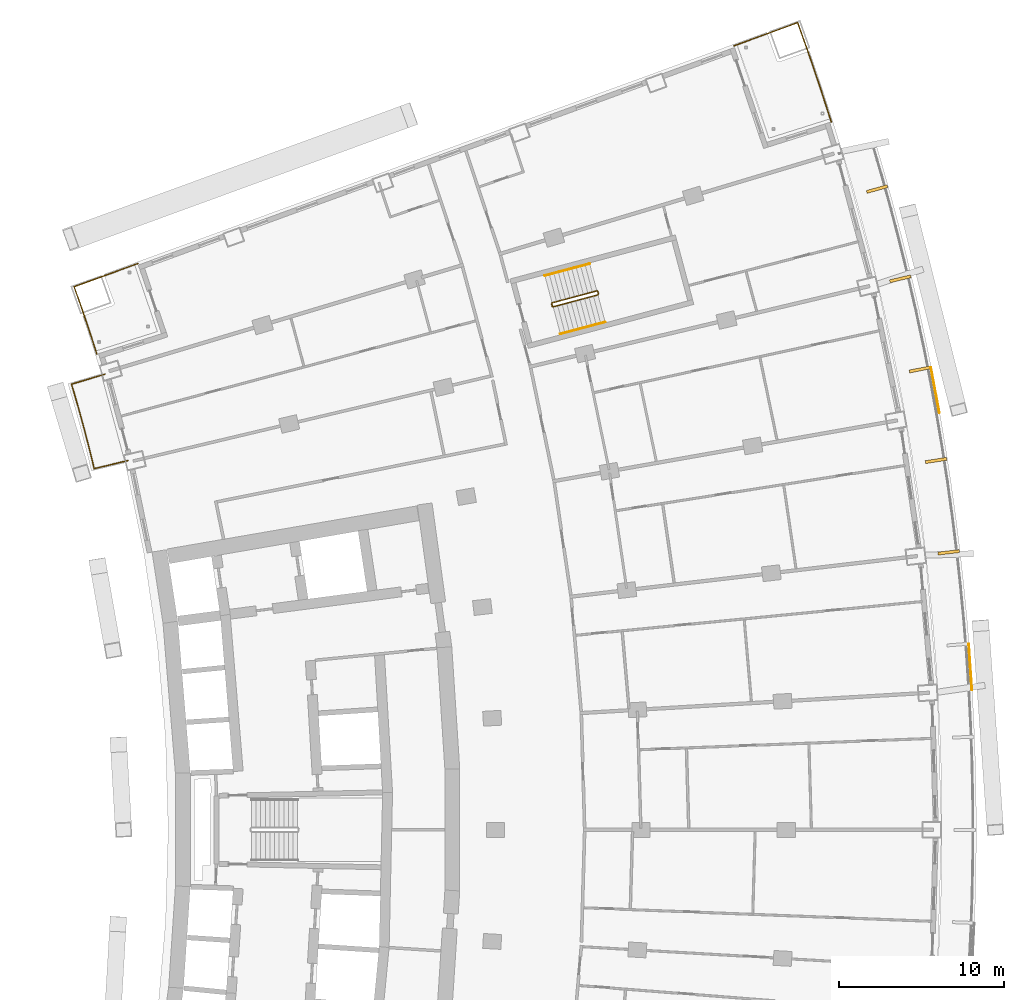
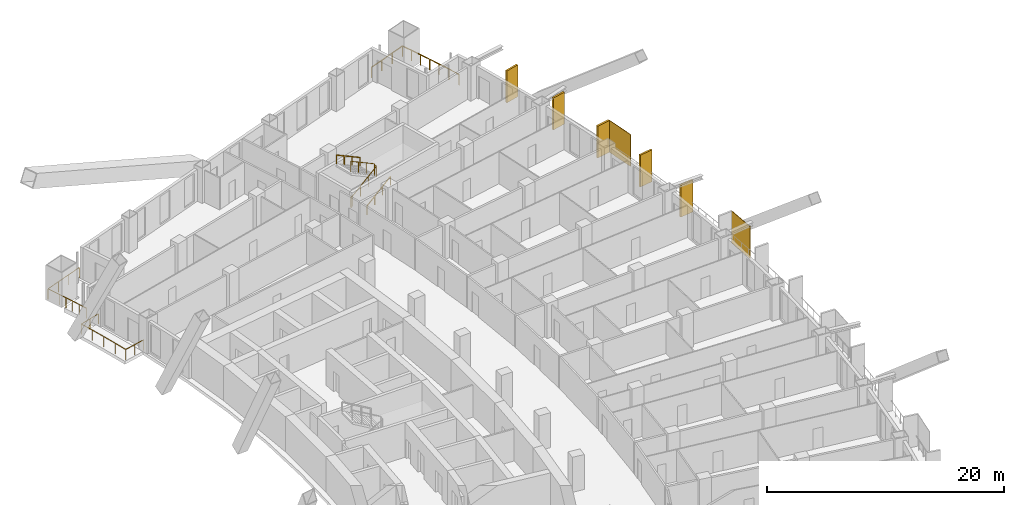
# One storey, part 25 of 25: 7 shading devices, 6 railings.
"""IFC4 building model written with IfcOpenShell, lengths in metres."""

from ifc_helpers import new_model, si_unit, direction, frame, origin, origin_2d, place, context, subcontext, project, spatial, rectangle, extrude, material, layer, layer_set, type_object, element, save


model = new_model("IFC4")

# Units and contexts
model_context = context("Model", 3, precision=1e-05, world=origin(), true_north=direction((0.0, 1.0)))
body_context = subcontext(model_context, "Body", "Model", "MODEL_VIEW")
ifc_project = project(units=[si_unit("LENGTHUNIT", "METRE"), si_unit("AREAUNIT", "SQUARE_METRE"), si_unit("VOLUMEUNIT", "CUBIC_METRE"), si_unit("PLANEANGLEUNIT", "RADIAN"), si_unit("MASSUNIT", "GRAM", prefix="KILO")], contexts=[model_context])

# Site, building, storey
site_placement = place(None, origin())
site = spatial("IfcSite", under=ifc_project, at=site_placement, CompositionType="ELEMENT")
building_placement = place(site_placement, origin())
building = spatial("IfcBuilding", under=site, at=building_placement, Name="Alderwake Tower", CompositionType="ELEMENT")
storey_placement = place(building_placement, frame((0.0, 0.0, 64.39990234375)))
storey = spatial("IfcBuildingStorey", under=building, at=storey_placement, Name="L15", CompositionType="ELEMENT", Elevation=64.39990234375)

# Railings
ifc_material_1 = material(Name="Stainless steel 316 rail and posts", Category="steel")
railing_type_1 = type_object("IfcRailingType", Name="Balcony guard 1100", PredefinedType="GUARDRAIL", material=ifc_material_1)
railing_1_placement = place(storey_placement, frame((13.5693359375, 83.343017578125, 0.0)))
element("IfcRailing", 1, at=railing_1_placement, inside=storey, type_object=railing_type_1, Name="Guard BR11", PredefinedType="GUARDRAIL", context=body_context, shape_type="SweptSolid", body=[
    extrude(rectangle(XDim=0.048095703125, YDim=0.048095703125, at=origin_2d()), frame((0.0, 0.0, 1.076171875), z_axis=(-0.972646310656, -0.232291098337, 0.0), x_axis=(0.232291098337, -0.972646310656, 0.0)), (0.0, 0.0, 1.0), 2.099853515625),
    extrude(rectangle(XDim=0.048095703125, YDim=0.048095703125, at=origin_2d()), frame((-2.04248046875, -0.48779296875, 1.076171875), z_axis=(-0.238877101641, 0.971049808358, 0.0), x_axis=(-0.971049808358, -0.238877101641, 0.0)), (0.0, 0.0, 1.0), 1.2724609375),
    extrude(rectangle(XDim=0.048095703125, YDim=0.048095703125, at=origin_2d()), frame((-2.346435546875, 0.747802734375, 1.076171875), z_axis=(-0.252487086228, 0.967600264204, 0.0), x_axis=(-0.967600264204, -0.252487086228, 0.0)), (0.0, 0.0, 1.0), 1.3720703125),
    extrude(rectangle(XDim=0.048095703125, YDim=0.048095703125, at=origin_2d()), frame((-2.69287109375, 2.075439453125, 1.076171875), z_axis=(-0.266487604617, 0.963838345671, 0.0), x_axis=(-0.963838345671, -0.266487604617, 0.0)), (0.0, 0.0, 1.0), 1.372314453125),
    extrude(rectangle(XDim=0.048095703125, YDim=0.048095703125, at=origin_2d()), frame((-3.05859375, 3.398193359375, 1.076171875), z_axis=(-0.279963157487, 0.960010744966, 0.0), x_axis=(-0.960010744966, -0.279963157487, 0.0)), (0.0, 0.0, 1.0), 1.272216796875),
    extrude(rectangle(XDim=0.048095703125, YDim=0.048095703125, at=origin_2d()), frame((-3.414794921875, 4.61962890625, 1.076171875), z_axis=(0.958091458885, 0.286462486918, 0.0), x_axis=(-0.286462486918, 0.958091458885, 0.0)), (0.0, 0.0, 1.0), 2.099853515625),
    extrude(rectangle(XDim=0.0419921875, YDim=0.0419921875, at=origin_2d()), frame((0.0, 0.0, 0.0), z_axis=(0.0, 0.0, 1.0), x_axis=(-0.972646310656, -0.232291098337, 0.0)), (0.0, 0.0, 1.0), 1.052001953125),
    extrude(rectangle(XDim=0.0419921875, YDim=0.0419921875, at=origin_2d()), frame((-1.021240234375, -0.243896484375, 0.0), z_axis=(0.0, 0.0, 1.0), x_axis=(-0.972646310656, -0.232291098337, 0.0)), (0.0, 0.0, 1.0), 1.052001953125),
    extrude(rectangle(XDim=0.0419921875, YDim=0.0419921875, at=origin_2d()), frame((-2.04248046875, -0.48779296875, 0.0), z_axis=(0.0, 0.0, 1.0), x_axis=(-0.238877101641, 0.971049808358, 0.0)), (0.0, 0.0, 1.0), 1.052001953125),
    extrude(rectangle(XDim=0.0419921875, YDim=0.0419921875, at=origin_2d()), frame((-2.346435546875, 0.747802734375, 0.0), z_axis=(0.0, 0.0, 1.0), x_axis=(-0.252487086228, 0.967600264204, 0.0)), (0.0, 0.0, 1.0), 1.052001953125),
    extrude(rectangle(XDim=0.0419921875, YDim=0.0419921875, at=origin_2d()), frame((-2.69287109375, 2.075439453125, 0.0), z_axis=(0.0, 0.0, 1.0), x_axis=(-0.266487604617, 0.963838345671, 0.0)), (0.0, 0.0, 1.0), 1.052001953125),
    extrude(rectangle(XDim=0.0419921875, YDim=0.0419921875, at=origin_2d()), frame((-3.05859375, 3.398193359375, 0.0), z_axis=(0.0, 0.0, 1.0), x_axis=(-0.279963157487, 0.960010744966, 0.0)), (0.0, 0.0, 1.0), 1.052001953125),
    extrude(rectangle(XDim=0.0419921875, YDim=0.0419921875, at=origin_2d()), frame((-3.414794921875, 4.61962890625, 0.0), z_axis=(0.0, 0.0, 1.0), x_axis=(0.958091458885, 0.286462486918, 0.0)), (0.0, 0.0, 1.0), 1.052001953125),
    extrude(rectangle(XDim=0.0419921875, YDim=0.0419921875, at=origin_2d()), frame((-2.40869140625, 4.92041015625, 0.0), z_axis=(0.0, 0.0, 1.0), x_axis=(0.958091458885, 0.286462486918, 0.0)), (0.0, 0.0, 1.0), 1.052001953125),
    extrude(rectangle(XDim=0.0419921875, YDim=0.0419921875, at=origin_2d()), frame((-1.40283203125, 5.22119140625, 0.0), z_axis=(0.0, 0.0, 1.0), x_axis=(0.958091458885, 0.286462486918, 0.0)), (0.0, 0.0, 1.0), 1.052001953125),
])
railing_2_placement = place(storey_placement, frame((56.12060546875, 103.831298828125, 0.0)))
element("IfcRailing", 2, at=railing_2_placement, inside=storey, type_object=railing_type_1, Name="Guard terrace FN", PredefinedType="GUARDRAIL", context=body_context, shape_type="SweptSolid", body=[
    extrude(rectangle(XDim=0.048095703125, YDim=0.048095703125, at=origin_2d()), frame((0.0, 0.0, 1.076171875), z_axis=(-0.307834534449, 0.951439908455, 0.0), x_axis=(-0.951439908455, -0.307834534449, 0.0)), (0.0, 0.0, 1.0), 2.281005859375),
    extrude(rectangle(XDim=0.048095703125, YDim=0.048095703125, at=origin_2d()), frame((-0.7021484375, 2.170166015625, 1.076171875), z_axis=(-0.322274982341, 0.946646098475, 0.0), x_axis=(-0.946646098475, -0.322274982341, 0.0)), (0.0, 0.0, 1.0), 2.0810546875),
    extrude(rectangle(XDim=0.048095703125, YDim=0.048095703125, at=origin_2d()), frame((-1.372802734375, 4.14013671875, 1.076171875), z_axis=(-0.335680571726, 0.941975877486, 0.0), x_axis=(-0.941975877486, -0.335680571726, 0.0)), (0.0, 0.0, 1.0), 1.981201171875),
    extrude(rectangle(XDim=0.048095703125, YDim=0.048095703125, at=origin_2d()), frame((-2.037841796875, 6.00634765625, 1.076171875), z_axis=(-0.939605522223, -0.34225934992, 0.0), x_axis=(0.34225934992, -0.939605522223, 0.0)), (0.0, 0.0, 1.0), 4.10009765625),
    extrude(rectangle(XDim=0.0419921875, YDim=0.0419921875, at=origin_2d()), frame((0.0, 0.0, 0.0), z_axis=(0.0, 0.0, 1.0), x_axis=(-0.307834534449, 0.951439908455, 0.0)), (0.0, 0.0, 1.0), 1.052001953125),
    extrude(rectangle(XDim=0.0419921875, YDim=0.0419921875, at=origin_2d()), frame((-0.35107421875, 1.0849609375, 0.0), z_axis=(0.0, 0.0, 1.0), x_axis=(-0.307834534449, 0.951439908455, 0.0)), (0.0, 0.0, 1.0), 1.052001953125),
    extrude(rectangle(XDim=0.0419921875, YDim=0.0419921875, at=origin_2d()), frame((-0.7021484375, 2.170166015625, 0.0), z_axis=(0.0, 0.0, 1.0), x_axis=(-0.322274982341, 0.946646098475, 0.0)), (0.0, 0.0, 1.0), 1.052001953125),
    extrude(rectangle(XDim=0.0419921875, YDim=0.0419921875, at=origin_2d()), frame((-1.03759765625, 3.1552734375, 0.0), z_axis=(0.0, 0.0, 1.0), x_axis=(-0.322274982341, 0.946646098475, 0.0)), (0.0, 0.0, 1.0), 1.052001953125),
    extrude(rectangle(XDim=0.0419921875, YDim=0.0419921875, at=origin_2d()), frame((-1.372802734375, 4.14013671875, 0.0), z_axis=(0.0, 0.0, 1.0), x_axis=(-0.335680571726, 0.941975877486, 0.0)), (0.0, 0.0, 1.0), 1.052001953125),
    extrude(rectangle(XDim=0.0419921875, YDim=0.0419921875, at=origin_2d()), frame((-1.705322265625, 5.0732421875, 0.0), z_axis=(0.0, 0.0, 1.0), x_axis=(-0.335680571726, 0.941975877486, 0.0)), (0.0, 0.0, 1.0), 1.052001953125),
    extrude(rectangle(XDim=0.0419921875, YDim=0.0419921875, at=origin_2d()), frame((-2.037841796875, 6.00634765625, 0.0), z_axis=(0.0, 0.0, 1.0), x_axis=(-0.939605522223, -0.34225934992, 0.0)), (0.0, 0.0, 1.0), 1.052001953125),
    extrude(rectangle(XDim=0.0419921875, YDim=0.0419921875, at=origin_2d()), frame((-3.322021484375, 5.53857421875, 0.0), z_axis=(0.0, 0.0, 1.0), x_axis=(-0.939605522223, -0.34225934992, 0.0)), (0.0, 0.0, 1.0), 1.052001953125),
    extrude(rectangle(XDim=0.0419921875, YDim=0.0419921875, at=origin_2d()), frame((-4.606201171875, 5.07080078125, 0.0), z_axis=(0.0, 0.0, 1.0), x_axis=(-0.939605522223, -0.34225934992, 0.0)), (0.0, 0.0, 1.0), 1.052001953125),
    extrude(rectangle(XDim=0.0419921875, YDim=0.0419921875, at=origin_2d()), frame((-5.890380859375, 4.60302734375, 0.0), z_axis=(0.0, 0.0, 1.0), x_axis=(-0.939605522223, -0.34225934992, 0.0)), (0.0, 0.0, 1.0), 1.052001953125),
])
railing_3_placement = place(storey_placement, frame((11.688720703125, 89.781982421875, 0.0)))
element("IfcRailing", 3, at=railing_3_placement, inside=storey, type_object=railing_type_1, Name="Guard terrace RN", PredefinedType="GUARDRAIL", context=body_context, shape_type="SweptSolid", body=[
    extrude(rectangle(XDim=0.048095703125, YDim=0.048095703125, at=origin_2d()), frame((0.0, 0.0, 1.076171875), z_axis=(-0.307479326145, 0.951554761426, 0.0), x_axis=(-0.951554761426, -0.307479326145, 0.0)), (0.0, 0.0, 1.0), 1.6015625),
    extrude(rectangle(XDim=0.048095703125, YDim=0.048095703125, at=origin_2d()), frame((-0.492431640625, 1.52392578125, 1.076171875), z_axis=(-0.322283727344, 0.946643121292, 0.0), x_axis=(-0.946643121292, -0.322283727344, 0.0)), (0.0, 0.0, 1.0), 1.4013671875),
    extrude(rectangle(XDim=0.048095703125, YDim=0.048095703125, at=origin_2d()), frame((-0.944091796875, 2.8505859375, 1.076171875), z_axis=(-0.335468607403, 0.942051385778, 0.0), x_axis=(-0.942051385778, -0.335468607403, 0.0)), (0.0, 0.0, 1.0), 1.30126953125),
    extrude(rectangle(XDim=0.048095703125, YDim=0.048095703125, at=origin_2d()), frame((-1.380615234375, 4.076416015625, 1.076171875), z_axis=(0.939708203232, 0.341977327873, 0.0), x_axis=(-0.341977327873, 0.939708203232, 0.0)), (0.0, 0.0, 1.0), 4.10009765625),
    extrude(rectangle(XDim=0.0419921875, YDim=0.0419921875, at=origin_2d()), frame((0.0, 0.0, 0.0), z_axis=(0.0, 0.0, 1.0), x_axis=(-0.307479326145, 0.951554761426, 0.0)), (0.0, 0.0, 1.0), 1.052001953125),
    extrude(rectangle(XDim=0.0419921875, YDim=0.0419921875, at=origin_2d()), frame((-0.24609375, 0.761962890625, 0.0), z_axis=(0.0, 0.0, 1.0), x_axis=(-0.307479326145, 0.951554761426, 0.0)), (0.0, 0.0, 1.0), 1.052001953125),
    extrude(rectangle(XDim=0.0419921875, YDim=0.0419921875, at=origin_2d()), frame((-0.492431640625, 1.52392578125, 0.0), z_axis=(0.0, 0.0, 1.0), x_axis=(-0.322283727344, 0.946643121292, 0.0)), (0.0, 0.0, 1.0), 1.052001953125),
    extrude(rectangle(XDim=0.0419921875, YDim=0.0419921875, at=origin_2d()), frame((-0.71826171875, 2.187255859375, 0.0), z_axis=(0.0, 0.0, 1.0), x_axis=(-0.322283727344, 0.946643121292, 0.0)), (0.0, 0.0, 1.0), 1.052001953125),
    extrude(rectangle(XDim=0.0419921875, YDim=0.0419921875, at=origin_2d()), frame((-0.944091796875, 2.8505859375, 0.0), z_axis=(0.0, 0.0, 1.0), x_axis=(-0.335468607403, 0.942051385778, 0.0)), (0.0, 0.0, 1.0), 1.052001953125),
    extrude(rectangle(XDim=0.0419921875, YDim=0.0419921875, at=origin_2d()), frame((-1.380615234375, 4.076416015625, 0.0), z_axis=(0.0, 0.0, 1.0), x_axis=(0.939708203232, 0.341977327873, 0.0)), (0.0, 0.0, 1.0), 1.052001953125),
    extrude(rectangle(XDim=0.0419921875, YDim=0.0419921875, at=origin_2d()), frame((-0.096435546875, 4.543701171875, 0.0), z_axis=(0.0, 0.0, 1.0), x_axis=(0.939708203232, 0.341977327873, 0.0)), (0.0, 0.0, 1.0), 1.052001953125),
    extrude(rectangle(XDim=0.0419921875, YDim=0.0419921875, at=origin_2d()), frame((1.18798828125, 5.01123046875, 0.0), z_axis=(0.0, 0.0, 1.0), x_axis=(0.939708203232, 0.341977327873, 0.0)), (0.0, 0.0, 1.0), 1.052001953125),
    extrude(rectangle(XDim=0.0419921875, YDim=0.0419921875, at=origin_2d()), frame((2.47216796875, 5.478515625, 0.0), z_axis=(0.0, 0.0, 1.0), x_axis=(0.939708203232, 0.341977327873, 0.0)), (0.0, 0.0, 1.0), 1.052001953125),
])

# Shading devices
ifc_material_2 = material(Name="Bronze anodised aluminium", Category="aluminium")
ifc_layer_1 = layer(ifc_material_2, 0.179931640625)
ifc_layer_set_1 = layer_set([ifc_layer_1], Name="Facade fin 1300")
shading_device_type_1 = type_object("IfcShadingDeviceType", Name="Facade fin 1300", PredefinedType="USERDEFINED", material=ifc_layer_set_1)
for number, where, z_axis, x_axis, name in (
    (4, (63.21923828125, 77.7900390625, 0.0), (0.0, 0.0, 1.0), (0.993198315083, 0.116434990084, 0.0), "Fin"),
    (5, (62.4580078125, 83.34716796875, 0.0), (0.0, 0.0, 1.0), (0.987918787879, 0.154972476771, 0.0), "Fin"),
    (6, (61.48388671875, 88.856201171875, 0.0), (0.0, 0.0, 1.0), (0.981163751315, 0.193177879441, 0.0), "Fin"),
    (7, (60.29345703125, 94.33740234375, 0.0), (0.0, 0.0, 1.0), (0.972908790564, 0.231189284448, 0.0), "Fin"),
    (8, (58.890869140625, 99.768310546875, 0.0), (0.0, 0.0, 1.0), (0.96318180783, 0.268850897459, 0.0), "Fin"),
):
    element("IfcShadingDevice", number, at=place(storey_placement, frame(where, z_axis=z_axis, x_axis=x_axis)), inside=storey, type_object=shading_device_type_1, Name=name, ObjectType="FIN", PredefinedType="USERDEFINED", context=body_context, shape_type="SweptSolid", body=[
        extrude(rectangle(XDim=1.300048828125, YDim=0.179931640625, at=origin_2d()), origin(), (0.0, 0.0, 1.0), 3.280029296875),
    ])
ifc_material_3 = material(Name="Perforated bronze anodised aluminium", Category="aluminium")
ifc_layer_2 = layer(ifc_material_3, 0.050048828125)
ifc_layer_set_2 = layer_set([ifc_layer_2], Name="Perforated screen panel")
shading_device_type_2 = type_object("IfcShadingDeviceType", Name="Perforated screen panel", PredefinedType="USERDEFINED", material=ifc_layer_set_2)
shading_device_1_placement = place(storey_placement, frame((64.53271484375, 70.8505859375, 0.0), z_axis=(0.0, 0.0, 1.0), x_axis=(0.997685465774, 0.067997877779, 0.0)))
element("IfcShadingDevice", 9, at=shading_device_1_placement, inside=storey, type_object=shading_device_type_2, Name="Screen panel", ObjectType="SCREEN", PredefinedType="USERDEFINED", context=body_context, shape_type="SweptSolid", body=[
    extrude(rectangle(XDim=0.050048828125, YDim=2.824951171875, at=origin_2d()), origin(), (0.0, 0.0, 1.0), 3.280029296875),
])
shading_device_2_placement = place(storey_placement, frame((62.404296875, 87.605224609375, 0.0), z_axis=(0.0, 0.0, 1.0), x_axis=(0.982991488043, 0.183651121519, 0.0)))
element("IfcShadingDevice", 10, at=shading_device_2_placement, inside=storey, type_object=shading_device_type_2, Name="Screen panel", ObjectType="SCREEN", PredefinedType="USERDEFINED", context=body_context, shape_type="SweptSolid", body=[
    extrude(rectangle(XDim=0.050048828125, YDim=2.810546875, at=origin_2d()), origin(), (0.0, 0.0, 1.0), 3.280029296875),
])

# Railings
ifc_material_4 = material(Name="Stainless steel guard", Category="steel")
railing_type_2 = type_object("IfcRailingType", Name="Stair guard 1100", PredefinedType="GUARDRAIL", material=ifc_material_4)
railing_4_placement = place(storey_placement, frame((39.23291015625, 92.6806640625, 0.0)))
element("IfcRailing", 11, at=railing_4_placement, inside=storey, type_object=railing_type_2, Name="L15 ST-A stair guard 1", PredefinedType="GUARDRAIL", context=body_context, shape_type="SweptSolid", body=[
    extrude(rectangle(XDim=0.048095703125, YDim=0.048095703125, at=origin_2d()), frame((0.0, 0.0, 1.076171875), z_axis=(-0.257055032184, 0.966396766566, 0.0), x_axis=(-0.966396766566, -0.257055032184, 0.0)), (0.0, 0.0, 1.0), 0.150146484375),
    extrude(rectangle(XDim=0.048095703125, YDim=0.048095703125, at=origin_2d()), frame((-0.03857421875, 0.14501953125, 1.076171875), z_axis=(0.379152066478, -0.68506938173, 0.622031874345), x_axis=(0.874937996095, 0.484234966715, 0.0)), (0.0, 0.0, 1.0), 0.263427734375),
    extrude(rectangle(XDim=0.048095703125, YDim=0.048095703125, at=origin_2d()), frame((0.061279296875, -0.035400390625, 1.23974609375), z_axis=(0.834290631165, 0.222236594766, 0.504549342183), x_axis=(-0.257402139082, 0.966304371715, 0.0)), (0.0, 0.0, 1.0), 3.242919921875),
    extrude(rectangle(XDim=0.048095703125, YDim=0.048095703125, at=origin_2d()), frame((2.766845703125, 0.685302734375, 2.8759765625), z_axis=(0.500220121494, 0.865898279276, 0.0), x_axis=(-0.865898279276, 0.500220121494, 0.0)), (0.0, 0.0, 1.0), 0.07080078125),
    extrude(rectangle(XDim=0.048095703125, YDim=0.048095703125, at=origin_2d()), frame((2.80224609375, 0.74658203125, 2.8759765625), z_axis=(-0.257459803502, 0.966289009345, 0.0), x_axis=(-0.966289009345, -0.257459803502, 0.0)), (0.0, 0.0, 1.0), 0.14990234375),
    extrude(rectangle(XDim=0.048095703125, YDim=0.048095703125, at=origin_2d()), frame((2.763671875, 0.891357421875, 2.8759765625), z_axis=(-0.34252489212, 0.200034536998, 0.917966710881), x_axis=(-0.504300490226, -0.863528236688, 0.0)), (0.0, 0.0, 1.0), 0.17822265625),
    extrude(rectangle(XDim=0.048095703125, YDim=0.048095703125, at=origin_2d()), frame((2.70263671875, 0.927001953125, 3.03955078125), z_axis=(-0.834281824786, -0.222214197128, 0.504573768072), x_axis=(0.257380452725, -0.966310148221, 0.0)), (0.0, 0.0, 1.0), 3.2431640625),
    extrude(rectangle(XDim=0.0419921875, YDim=0.0419921875, at=origin_2d()), frame((0.0, 0.0, 0.0), z_axis=(0.0, 0.0, 1.0), x_axis=(-0.257055032184, 0.966396766566, 0.0)), (0.0, 0.0, 1.0), 1.052001953125),
    extrude(rectangle(XDim=0.0419921875, YDim=0.0419921875, at=origin_2d()), frame((-0.03857421875, 0.14501953125, 0.0), z_axis=(0.0, 0.0, 1.0), x_axis=(0.484234966715, -0.874937996095, 0.0)), (0.0, 0.0, 1.0), 1.052001953125),
    extrude(rectangle(XDim=0.0419921875, YDim=0.0419921875, at=origin_2d()), frame((0.061279296875, -0.035400390625, 0.163818359375), z_axis=(0.0, 0.0, 1.0), x_axis=(0.966304371715, 0.257402139082, 0.0)), (0.0, 0.0, 1.0), 1.052001953125),
    extrude(rectangle(XDim=0.0419921875, YDim=0.0419921875, at=origin_2d()), frame((0.963134765625, 0.204833984375, 0.709228515625), z_axis=(0.0, 0.0, 1.0), x_axis=(0.966304371715, 0.257402139082, 0.0)), (0.0, 0.0, 1.0), 1.052001953125),
    extrude(rectangle(XDim=0.0419921875, YDim=0.0419921875, at=origin_2d()), frame((1.864990234375, 0.445068359375, 1.254638671875), z_axis=(0.0, 0.0, 1.0), x_axis=(0.966304371715, 0.257402139082, 0.0)), (0.0, 0.0, 1.0), 1.052001953125),
    extrude(rectangle(XDim=0.0419921875, YDim=0.0419921875, at=origin_2d()), frame((2.766845703125, 0.685302734375, 1.800048828125), z_axis=(0.0, 0.0, 1.0), x_axis=(0.500220121494, 0.865898279276, 0.0)), (0.0, 0.0, 1.0), 1.052001953125),
    extrude(rectangle(XDim=0.0419921875, YDim=0.0419921875, at=origin_2d()), frame((2.80224609375, 0.74658203125, 1.800048828125), z_axis=(0.0, 0.0, 1.0), x_axis=(-0.257459803502, 0.966289009345, 0.0)), (0.0, 0.0, 1.0), 1.052001953125),
    extrude(rectangle(XDim=0.0419921875, YDim=0.0419921875, at=origin_2d()), frame((2.763671875, 0.891357421875, 1.800048828125), z_axis=(0.0, 0.0, 1.0), x_axis=(-0.863528236688, 0.504300490226, 0.0)), (0.0, 0.0, 1.0), 1.052001953125),
    extrude(rectangle(XDim=0.0419921875, YDim=0.0419921875, at=origin_2d()), frame((2.70263671875, 0.927001953125, 1.963623046875), z_axis=(0.0, 0.0, 1.0), x_axis=(-0.966310148221, -0.257380452725, 0.0)), (0.0, 0.0, 1.0), 1.052001953125),
    extrude(rectangle(XDim=0.0419921875, YDim=0.0419921875, at=origin_2d()), frame((1.80078125, 0.686767578125, 2.509033203125), z_axis=(0.0, 0.0, 1.0), x_axis=(-0.966310148221, -0.257380452725, 0.0)), (0.0, 0.0, 1.0), 1.052001953125),
    extrude(rectangle(XDim=0.0419921875, YDim=0.0419921875, at=origin_2d()), frame((0.898681640625, 0.446533203125, 3.0546875), z_axis=(0.0, 0.0, 1.0), x_axis=(-0.966310148221, -0.257380452725, 0.0)), (0.0, 0.0, 1.0), 1.052001953125),
    extrude(rectangle(XDim=0.0419921875, YDim=0.0419921875, at=origin_2d()), frame((-0.003173828125, 0.206298828125, 3.60009765625), z_axis=(0.0, 0.0, 1.0), x_axis=(-0.966310148221, -0.257380452725, 0.0)), (0.0, 0.0, 1.0), 1.052001953125),
])
ifc_material_5 = material(Name="Stainless steel handrail", Category="steel")
railing_type_3 = type_object("IfcRailingType", Name="Stair handrail 900", PredefinedType="HANDRAIL", material=ifc_material_5)
railing_5_placement = place(storey_placement, frame((39.731689453125, 91.002685546875, 0.163818359375)))
element("IfcRailing", 12, at=railing_5_placement, inside=storey, type_object=railing_type_3, Name="L15 ST-A stair handrail 1", PredefinedType="HANDRAIL", context=body_context, shape_type="SweptSolid", body=[
    extrude(rectangle(XDim=0.048095703125, YDim=0.048095703125, at=origin_2d()), frame((0.0, 0.0, 0.8759765625), z_axis=(0.834290631165, 0.222236594766, 0.504549342183), x_axis=(-0.257402139082, 0.966304371715, 0.0)), (0.0, 0.0, 1.0), 3.242919921875),
    extrude(rectangle(XDim=0.0419921875, YDim=0.0419921875, at=origin_2d()), frame((0.0, 0.0, 0.0), z_axis=(0.0, 0.0, 1.0), x_axis=(0.966304371715, 0.257402139082, 0.0)), (0.0, 0.0, 1.0), 0.851806640625),
    extrude(rectangle(XDim=0.0419921875, YDim=0.0419921875, at=origin_2d()), frame((0.90185546875, 0.240234375, 0.54541015625), z_axis=(0.0, 0.0, 1.0), x_axis=(0.966304371715, 0.257402139082, 0.0)), (0.0, 0.0, 1.0), 0.851806640625),
    extrude(rectangle(XDim=0.0419921875, YDim=0.0419921875, at=origin_2d()), frame((1.8037109375, 0.48046875, 1.0908203125), z_axis=(0.0, 0.0, 1.0), x_axis=(0.966304371715, 0.257402139082, 0.0)), (0.0, 0.0, 1.0), 0.851806640625),
    extrude(rectangle(XDim=0.0419921875, YDim=0.0419921875, at=origin_2d()), frame((2.70556640625, 0.720703125, 1.63623046875), z_axis=(0.0, 0.0, 1.0), x_axis=(0.966304371715, 0.257402139082, 0.0)), (0.0, 0.0, 1.0), 0.851806640625),
])
railing_6_placement = place(storey_placement, frame((41.497802734375, 95.250244140625, 1.963623046875)))
element("IfcRailing", 13, at=railing_6_placement, inside=storey, type_object=railing_type_3, Name="L15 ST-A stair handrail 2", PredefinedType="HANDRAIL", context=body_context, shape_type="SweptSolid", body=[
    extrude(rectangle(XDim=0.048095703125, YDim=0.048095703125, at=origin_2d()), frame((0.0, 0.0, 0.8759765625), z_axis=(-0.834258940753, -0.22222815314, 0.504605457487), x_axis=(0.257402139082, -0.966304371715, 0.0)), (0.0, 0.0, 1.0), 3.2431640625),
    extrude(rectangle(XDim=0.0419921875, YDim=0.0419921875, at=origin_2d()), frame((0.0, 0.0, 0.0), z_axis=(0.0, 0.0, 1.0), x_axis=(-0.966304371715, -0.257402139082, 0.0)), (0.0, 0.0, 1.0), 0.851806640625),
    extrude(rectangle(XDim=0.0419921875, YDim=0.0419921875, at=origin_2d()), frame((-0.90185546875, -0.240234375, 0.54541015625), z_axis=(0.0, 0.0, 1.0), x_axis=(-0.966304371715, -0.257402139082, 0.0)), (0.0, 0.0, 1.0), 0.851806640625),
    extrude(rectangle(XDim=0.0419921875, YDim=0.0419921875, at=origin_2d()), frame((-1.8037109375, -0.48046875, 1.091064453125), z_axis=(0.0, 0.0, 1.0), x_axis=(-0.966304371715, -0.257402139082, 0.0)), (0.0, 0.0, 1.0), 0.851806640625),
    extrude(rectangle(XDim=0.0419921875, YDim=0.0419921875, at=origin_2d()), frame((-2.70556640625, -0.720703125, 1.636474609375), z_axis=(0.0, 0.0, 1.0), x_axis=(-0.966304371715, -0.257402139082, 0.0)), (0.0, 0.0, 1.0), 0.851806640625),
])

save(model, "model.ifc")
